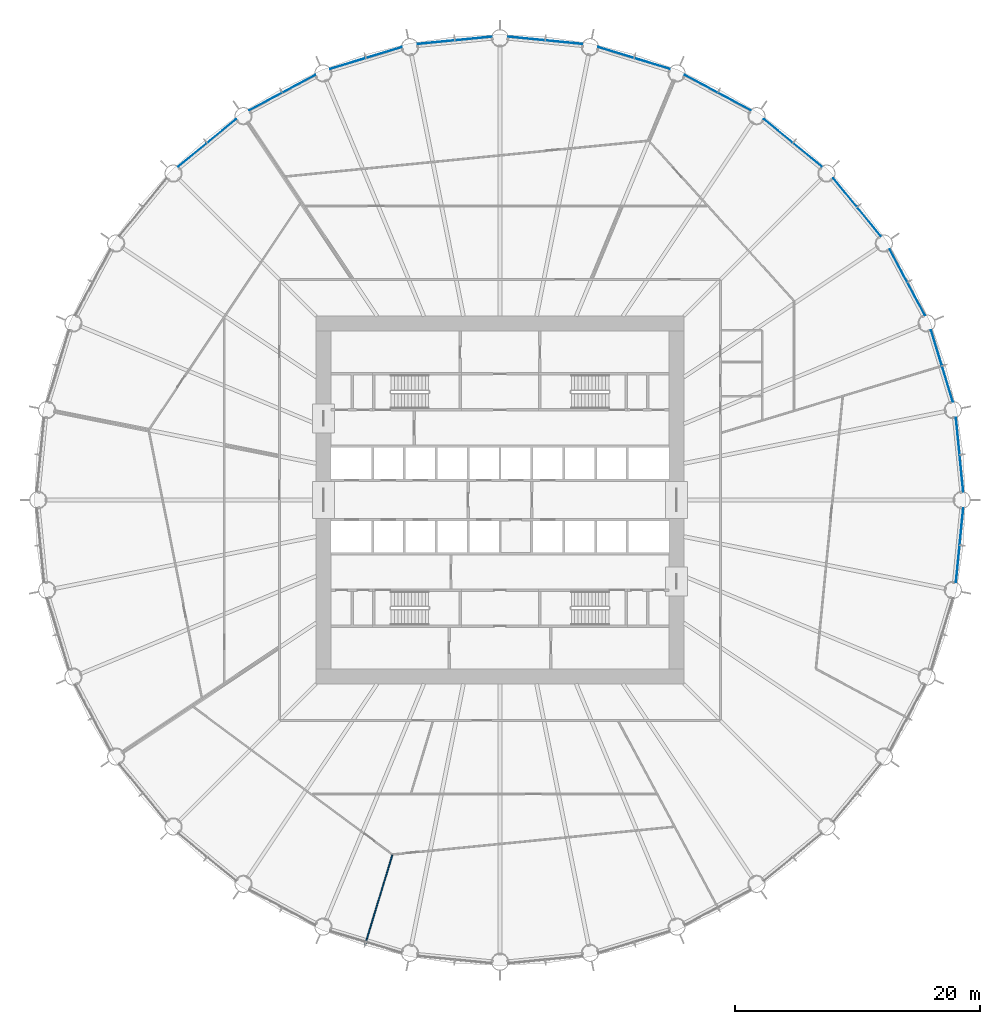
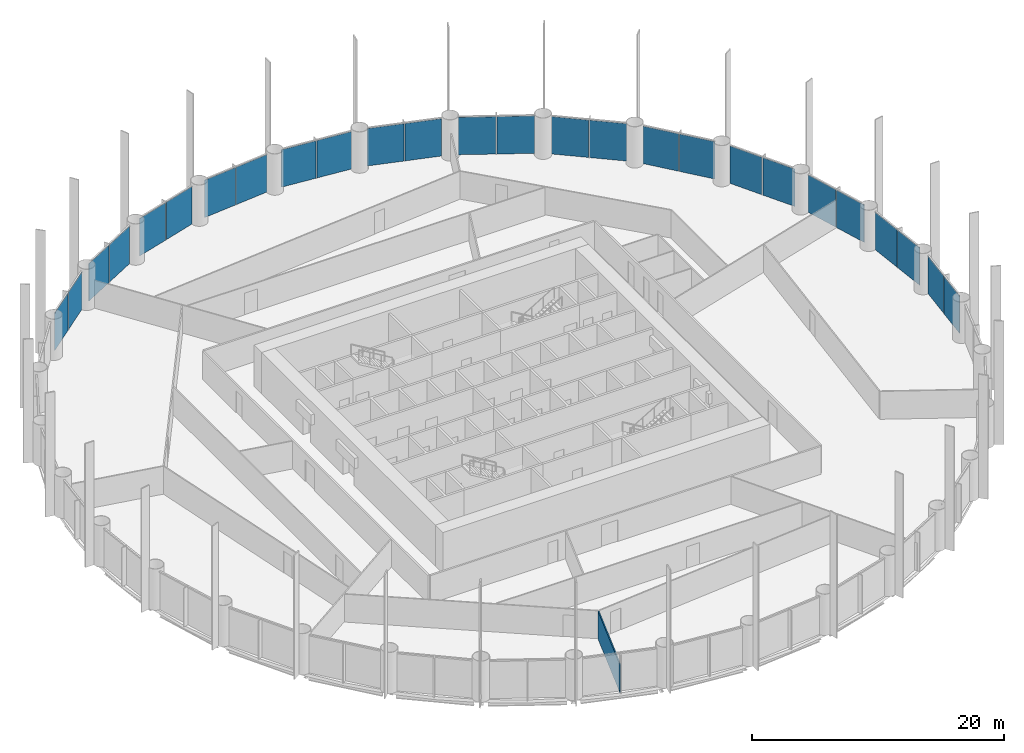
# One storey, part 8 of 14: 26 plates, 1 wall, 13 elements without a shape of their own.
"""IFC4 building model written with IfcOpenShell, lengths in metres."""

from ifc_helpers import new_model, si_unit, direction, frame, frame_2d, origin, origin_2d, place, context, subcontext, project, spatial, rectangle, extrude, material, layer, layer_set, type_object, element, aggregate, save


model = new_model("IFC4")

# Units and contexts
model_context = context("Model", 3, precision=1e-05, world=origin(), true_north=direction((0.0, 1.0)))
body_context = subcontext(model_context, "Body", "Model", "MODEL_VIEW")
ifc_project = project(units=[si_unit("LENGTHUNIT", "METRE"), si_unit("AREAUNIT", "SQUARE_METRE"), si_unit("VOLUMEUNIT", "CUBIC_METRE"), si_unit("PLANEANGLEUNIT", "RADIAN"), si_unit("MASSUNIT", "GRAM", prefix="KILO")], contexts=[model_context])

# Site, building, storey
site_placement = place(None, origin())
site = spatial("IfcSite", under=ifc_project, at=site_placement, CompositionType="ELEMENT")
building_placement = place(site_placement, origin())
building = spatial("IfcBuilding", under=site, at=building_placement, Name="Corvane Civic Tower", CompositionType="ELEMENT")
storey_placement = place(building_placement, frame((0.0, 0.0, 53.0)))
storey = spatial("IfcBuildingStorey", under=building, at=storey_placement, Name="L11", CompositionType="ELEMENT", Elevation=53.0)

# Curtain wall, plates
ifc_material_1 = material(Name="Anodised aluminium bronze", Category="aluminium")
curtain_wall_type = type_object("IfcCurtainWallType", Name="TOWER CW-T1 STICK CURTAIN WALL", PredefinedType="NOTDEFINED", material=ifc_material_1)
curtain_wall_1_placement = place(storey_placement, origin())
curtain_wall_1 = element("IfcCurtainWall", 1, at=curtain_wall_1_placement, inside=storey, type_object=curtain_wall_type, Name="Curtain wall CW-T1 L11 bay 01", PredefinedType="NOTDEFINED")
ifc_material_2 = material(Name="Tinted glass", Category="glass")
ifc_layer_1 = layer(ifc_material_2, 0.035888671875)
ifc_layer_set_1 = layer_set([ifc_layer_1], Name="Tinted glass")
plate_type = type_object("IfcPlateType", Name="TOWER CW-T1 PANEL IGU36", PredefinedType="CURTAIN_PANEL", material=ifc_layer_set_1)
plate_1_placement = place(storey_placement, frame((2.158203125, 37.667236328125, 0.0), z_axis=(0.0, 0.0, 1.0), x_axis=(0.995185800248, -0.098006239521, 0.0)))
plate_1 = element("IfcPlate", 2, at=plate_1_placement, type_object=plate_type, Name="Glass panel CW-T1 L11 01.1", PredefinedType="CURTAIN_PANEL", context=body_context, shape_type="SweptSolid", body=[
    extrude(rectangle(XDim=3.008544921875, YDim=0.035888671875, at=origin_2d()), origin(), (0.0, 0.0, 1.0), 3.6298828125),
])
plate_2_placement = place(storey_placement, frame((5.23193359375, 37.36474609375, 0.0), z_axis=(0.0, 0.0, 1.0), x_axis=(0.995185800248, -0.098006239521, 0.0)))
plate_2 = element("IfcPlate", 3, at=plate_2_placement, type_object=plate_type, Name="Glass panel CW-T1 L11 01.2", PredefinedType="CURTAIN_PANEL", context=body_context, shape_type="SweptSolid", body=[
    extrude(rectangle(XDim=3.008544921875, YDim=0.035888671875, at=origin_2d()), origin(), (0.0, 0.0, 1.0), 3.6298828125),
])
aggregate(curtain_wall_1, [plate_1, plate_2])

curtain_wall_2_placement = place(storey_placement, origin())
curtain_wall_2 = element("IfcCurtainWall", 4, at=curtain_wall_2_placement, inside=storey, type_object=curtain_wall_type, Name="Curtain wall CW-T1 L11 bay 02", PredefinedType="NOTDEFINED")
plate_3_placement = place(storey_placement, frame((9.46533203125, 36.522705078125, 0.0), z_axis=(0.0, 0.0, 1.0), x_axis=(0.956942240606, -0.290278397654, 0.0)))
plate_3 = element("IfcPlate", 5, at=plate_3_placement, type_object=plate_type, Name="Glass panel CW-T1 L11 02.1", PredefinedType="CURTAIN_PANEL", context=body_context, shape_type="SweptSolid", body=[
    extrude(rectangle(XDim=3.008544921875, YDim=0.035888671875, at=origin_2d()), origin(), (0.0, 0.0, 1.0), 3.6298828125),
])
plate_4_placement = place(storey_placement, frame((12.4208984375, 35.6259765625, 0.0), z_axis=(0.0, 0.0, 1.0), x_axis=(0.956942240606, -0.290278397654, 0.0)))
plate_4 = element("IfcPlate", 6, at=plate_4_placement, type_object=plate_type, Name="Glass panel CW-T1 L11 02.2", PredefinedType="CURTAIN_PANEL", context=body_context, shape_type="SweptSolid", body=[
    extrude(rectangle(XDim=3.008544921875, YDim=0.035888671875, at=origin_2d()), origin(), (0.0, 0.0, 1.0), 3.6298828125),
])
aggregate(curtain_wall_2, [plate_3, plate_4])

curtain_wall_3_placement = place(storey_placement, origin())
curtain_wall_3 = element("IfcCurtainWall", 7, at=curtain_wall_3_placement, inside=storey, type_object=curtain_wall_type, Name="Curtain wall CW-T1 L11 bay 03", PredefinedType="NOTDEFINED")
plate_5_placement = place(storey_placement, frame((16.40869140625, 33.974365234375, 0.0), z_axis=(0.0, 0.0, 1.0), x_axis=(0.881917528864, -0.471403725359, 0.0)))
plate_5 = element("IfcPlate", 8, at=plate_5_placement, type_object=plate_type, Name="Glass panel CW-T1 L11 03.1", PredefinedType="CURTAIN_PANEL", context=body_context, shape_type="SweptSolid", body=[
    extrude(rectangle(XDim=3.008544921875, YDim=0.035888671875, at=origin_2d()), origin(), (0.0, 0.0, 1.0), 3.6298828125),
])
plate_6_placement = place(storey_placement, frame((19.132568359375, 32.518310546875, 0.0), z_axis=(0.0, 0.0, 1.0), x_axis=(0.881917528864, -0.471403725359, 0.0)))
plate_6 = element("IfcPlate", 9, at=plate_6_placement, type_object=plate_type, Name="Glass panel CW-T1 L11 03.2", PredefinedType="CURTAIN_PANEL", context=body_context, shape_type="SweptSolid", body=[
    extrude(rectangle(XDim=3.008544921875, YDim=0.035888671875, at=origin_2d()), origin(), (0.0, 0.0, 1.0), 3.6298828125),
])
aggregate(curtain_wall_3, [plate_5, plate_6])

curtain_wall_4_placement = place(storey_placement, origin())
curtain_wall_4 = element("IfcCurtainWall", 10, at=curtain_wall_4_placement, inside=storey, type_object=curtain_wall_type, Name="Curtain wall CW-T1 L11 bay 04", PredefinedType="NOTDEFINED")
plate_7_placement = place(storey_placement, frame((22.721435546875, 30.120361328125, 0.0), z_axis=(0.0, 0.0, 1.0), x_axis=(0.773007224463, -0.634397218569, 0.0)))
plate_7 = element("IfcPlate", 11, at=plate_7_placement, type_object=plate_type, Name="Glass panel CW-T1 L11 04.1", PredefinedType="CURTAIN_PANEL", context=body_context, shape_type="SweptSolid", body=[
    extrude(rectangle(XDim=3.008544921875, YDim=0.035888671875, at=origin_2d()), origin(), (0.0, 0.0, 1.0), 3.6298828125),
])
plate_8_placement = place(storey_placement, frame((25.10888671875, 28.160888671875, 0.0), z_axis=(0.0, 0.0, 1.0), x_axis=(0.773007224463, -0.634397218569, 0.0)))
plate_8 = element("IfcPlate", 12, at=plate_8_placement, type_object=plate_type, Name="Glass panel CW-T1 L11 04.2", PredefinedType="CURTAIN_PANEL", context=body_context, shape_type="SweptSolid", body=[
    extrude(rectangle(XDim=3.008544921875, YDim=0.035888671875, at=origin_2d()), origin(), (0.0, 0.0, 1.0), 3.6298828125),
])
aggregate(curtain_wall_4, [plate_7, plate_8])

curtain_wall_5_placement = place(storey_placement, origin())
curtain_wall_5 = element("IfcCurtainWall", 13, at=curtain_wall_5_placement, inside=storey, type_object=curtain_wall_type, Name="Curtain wall CW-T1 L11 bay 05", PredefinedType="NOTDEFINED")
plate_9_placement = place(storey_placement, frame((28.160888671875, 25.10888671875, 0.0), z_axis=(0.0, 0.0, 1.0), x_axis=(0.634397218569, -0.773007224463, 0.0)))
plate_9 = element("IfcPlate", 14, at=plate_9_placement, type_object=plate_type, Name="Glass panel CW-T1 L11 05.1", PredefinedType="CURTAIN_PANEL", context=body_context, shape_type="SweptSolid", body=[
    extrude(rectangle(XDim=3.008544921875, YDim=0.035888671875, at=origin_2d()), origin(), (0.0, 0.0, 1.0), 3.6298828125),
])
plate_10_placement = place(storey_placement, frame((30.120361328125, 22.721435546875, 0.0), z_axis=(0.0, 0.0, 1.0), x_axis=(0.634397218569, -0.773007224463, 0.0)))
plate_10 = element("IfcPlate", 15, at=plate_10_placement, type_object=plate_type, Name="Glass panel CW-T1 L11 05.2", PredefinedType="CURTAIN_PANEL", context=body_context, shape_type="SweptSolid", body=[
    extrude(rectangle(XDim=3.008544921875, YDim=0.035888671875, at=origin_2d()), origin(), (0.0, 0.0, 1.0), 3.6298828125),
])
aggregate(curtain_wall_5, [plate_9, plate_10])

curtain_wall_6_placement = place(storey_placement, origin())
curtain_wall_6 = element("IfcCurtainWall", 16, at=curtain_wall_6_placement, inside=storey, type_object=curtain_wall_type, Name="Curtain wall CW-T1 L11 bay 06", PredefinedType="NOTDEFINED")
plate_11_placement = place(storey_placement, frame((32.518310546875, 19.132568359375, 0.0), z_axis=(0.0, 0.0, 1.0), x_axis=(0.471403725359, -0.881917528864, 0.0)))
plate_11 = element("IfcPlate", 17, at=plate_11_placement, type_object=plate_type, Name="Glass panel CW-T1 L11 06.1", PredefinedType="CURTAIN_PANEL", context=body_context, shape_type="SweptSolid", body=[
    extrude(rectangle(XDim=3.008544921875, YDim=0.035888671875, at=origin_2d()), origin(), (0.0, 0.0, 1.0), 3.6298828125),
])
plate_12_placement = place(storey_placement, frame((33.974365234375, 16.40869140625, 0.0), z_axis=(0.0, 0.0, 1.0), x_axis=(0.471403725359, -0.881917528864, 0.0)))
plate_12 = element("IfcPlate", 18, at=plate_12_placement, type_object=plate_type, Name="Glass panel CW-T1 L11 06.2", PredefinedType="CURTAIN_PANEL", context=body_context, shape_type="SweptSolid", body=[
    extrude(rectangle(XDim=3.008544921875, YDim=0.035888671875, at=origin_2d()), origin(), (0.0, 0.0, 1.0), 3.6298828125),
])
aggregate(curtain_wall_6, [plate_11, plate_12])

curtain_wall_7_placement = place(storey_placement, origin())
curtain_wall_7 = element("IfcCurtainWall", 19, at=curtain_wall_7_placement, inside=storey, type_object=curtain_wall_type, Name="Curtain wall CW-T1 L11 bay 07", PredefinedType="NOTDEFINED")
plate_13_placement = place(storey_placement, frame((35.6259765625, 12.4208984375, 0.0), z_axis=(0.0, 0.0, 1.0), x_axis=(0.290278397654, -0.956942240606, 0.0)))
plate_13 = element("IfcPlate", 20, at=plate_13_placement, type_object=plate_type, Name="Glass panel CW-T1 L11 07.1", PredefinedType="CURTAIN_PANEL", context=body_context, shape_type="SweptSolid", body=[
    extrude(rectangle(XDim=3.008544921875, YDim=0.035888671875, at=origin_2d()), origin(), (0.0, 0.0, 1.0), 3.6298828125),
])
plate_14_placement = place(storey_placement, frame((36.522705078125, 9.46533203125, 0.0), z_axis=(0.0, 0.0, 1.0), x_axis=(0.290278397654, -0.956942240606, 0.0)))
plate_14 = element("IfcPlate", 21, at=plate_14_placement, type_object=plate_type, Name="Glass panel CW-T1 L11 07.2", PredefinedType="CURTAIN_PANEL", context=body_context, shape_type="SweptSolid", body=[
    extrude(rectangle(XDim=3.008544921875, YDim=0.035888671875, at=origin_2d()), origin(), (0.0, 0.0, 1.0), 3.6298828125),
])
aggregate(curtain_wall_7, [plate_13, plate_14])

curtain_wall_8_placement = place(storey_placement, origin())
curtain_wall_8 = element("IfcCurtainWall", 22, at=curtain_wall_8_placement, inside=storey, type_object=curtain_wall_type, Name="Curtain wall CW-T1 L11 bay 08", PredefinedType="NOTDEFINED")
plate_15_placement = place(storey_placement, frame((37.36474609375, 5.23193359375, 0.0), z_axis=(0.0, 0.0, 1.0), x_axis=(0.098006239521, -0.995185800248, 0.0)))
plate_15 = element("IfcPlate", 23, at=plate_15_placement, type_object=plate_type, Name="Glass panel CW-T1 L11 08.1", PredefinedType="CURTAIN_PANEL", context=body_context, shape_type="SweptSolid", body=[
    extrude(rectangle(XDim=3.008544921875, YDim=0.035888671875, at=origin_2d()), origin(), (0.0, 0.0, 1.0), 3.6298828125),
])
plate_16_placement = place(storey_placement, frame((37.667236328125, 2.158203125, 0.0), z_axis=(0.0, 0.0, 1.0), x_axis=(0.098006239521, -0.995185800248, 0.0)))
plate_16 = element("IfcPlate", 24, at=plate_16_placement, type_object=plate_type, Name="Glass panel CW-T1 L11 08.2", PredefinedType="CURTAIN_PANEL", context=body_context, shape_type="SweptSolid", body=[
    extrude(rectangle(XDim=3.008544921875, YDim=0.035888671875, at=origin_2d()), origin(), (0.0, 0.0, 1.0), 3.6298828125),
])
aggregate(curtain_wall_8, [plate_15, plate_16])

curtain_wall_9_placement = place(storey_placement, origin())
curtain_wall_9 = element("IfcCurtainWall", 25, at=curtain_wall_9_placement, inside=storey, type_object=curtain_wall_type, Name="Curtain wall CW-T1 L11 bay 09", PredefinedType="NOTDEFINED")
plate_17_placement = place(storey_placement, frame((37.667236328125, -2.158203125, 0.0), z_axis=(0.0, 0.0, 1.0), x_axis=(-0.098006239521, -0.995185800248, 0.0)))
plate_17 = element("IfcPlate", 26, at=plate_17_placement, type_object=plate_type, Name="Glass panel CW-T1 L11 09.1", PredefinedType="CURTAIN_PANEL", context=body_context, shape_type="SweptSolid", body=[
    extrude(rectangle(XDim=3.008544921875, YDim=0.035888671875, at=origin_2d()), origin(), (0.0, 0.0, 1.0), 3.6298828125),
])
plate_18_placement = place(storey_placement, frame((37.36474609375, -5.23193359375, 0.0), z_axis=(0.0, 0.0, 1.0), x_axis=(-0.098006239521, -0.995185800248, 0.0)))
plate_18 = element("IfcPlate", 27, at=plate_18_placement, type_object=plate_type, Name="Glass panel CW-T1 L11 09.2", PredefinedType="CURTAIN_PANEL", context=body_context, shape_type="SweptSolid", body=[
    extrude(rectangle(XDim=3.008544921875, YDim=0.035888671875, at=origin_2d()), origin(), (0.0, 0.0, 1.0), 3.6298828125),
])
aggregate(curtain_wall_9, [plate_17, plate_18])

curtain_wall_10_placement = place(storey_placement, origin())
curtain_wall_10 = element("IfcCurtainWall", 28, at=curtain_wall_10_placement, inside=storey, type_object=curtain_wall_type, Name="Curtain wall CW-T1 L11 bay 29", PredefinedType="NOTDEFINED")
plate_19_placement = place(storey_placement, frame((-25.10888671875, 28.160888671875, 0.0), z_axis=(0.0, 0.0, 1.0), x_axis=(0.773007224463, 0.634397218569, 0.0)))
plate_19 = element("IfcPlate", 29, at=plate_19_placement, type_object=plate_type, Name="Glass panel CW-T1 L11 29.1", PredefinedType="CURTAIN_PANEL", context=body_context, shape_type="SweptSolid", body=[
    extrude(rectangle(XDim=3.008544921875, YDim=0.035888671875, at=origin_2d()), origin(), (0.0, 0.0, 1.0), 3.6298828125),
])
plate_20_placement = place(storey_placement, frame((-22.721435546875, 30.120361328125, 0.0), z_axis=(0.0, 0.0, 1.0), x_axis=(0.773007224463, 0.634397218569, 0.0)))
plate_20 = element("IfcPlate", 30, at=plate_20_placement, type_object=plate_type, Name="Glass panel CW-T1 L11 29.2", PredefinedType="CURTAIN_PANEL", context=body_context, shape_type="SweptSolid", body=[
    extrude(rectangle(XDim=3.008544921875, YDim=0.035888671875, at=origin_2d()), origin(), (0.0, 0.0, 1.0), 3.6298828125),
])
aggregate(curtain_wall_10, [plate_19, plate_20])

curtain_wall_11_placement = place(storey_placement, origin())
curtain_wall_11 = element("IfcCurtainWall", 31, at=curtain_wall_11_placement, inside=storey, type_object=curtain_wall_type, Name="Curtain wall CW-T1 L11 bay 30", PredefinedType="NOTDEFINED")
plate_21_placement = place(storey_placement, frame((-19.132568359375, 32.518310546875, 0.0), z_axis=(0.0, 0.0, 1.0), x_axis=(0.881917528864, 0.471403725359, 0.0)))
plate_21 = element("IfcPlate", 32, at=plate_21_placement, type_object=plate_type, Name="Glass panel CW-T1 L11 30.1", PredefinedType="CURTAIN_PANEL", context=body_context, shape_type="SweptSolid", body=[
    extrude(rectangle(XDim=3.008544921875, YDim=0.035888671875, at=origin_2d()), origin(), (0.0, 0.0, 1.0), 3.6298828125),
])
plate_22_placement = place(storey_placement, frame((-16.40869140625, 33.974365234375, 0.0), z_axis=(0.0, 0.0, 1.0), x_axis=(0.881917528864, 0.471403725359, 0.0)))
plate_22 = element("IfcPlate", 33, at=plate_22_placement, type_object=plate_type, Name="Glass panel CW-T1 L11 30.2", PredefinedType="CURTAIN_PANEL", context=body_context, shape_type="SweptSolid", body=[
    extrude(rectangle(XDim=3.008544921875, YDim=0.035888671875, at=origin_2d()), origin(), (0.0, 0.0, 1.0), 3.6298828125),
])
aggregate(curtain_wall_11, [plate_21, plate_22])

curtain_wall_12_placement = place(storey_placement, origin())
curtain_wall_12 = element("IfcCurtainWall", 34, at=curtain_wall_12_placement, inside=storey, type_object=curtain_wall_type, Name="Curtain wall CW-T1 L11 bay 31", PredefinedType="NOTDEFINED")
plate_23_placement = place(storey_placement, frame((-12.4208984375, 35.6259765625, 0.0), z_axis=(0.0, 0.0, 1.0), x_axis=(0.956942240606, 0.290278397654, 0.0)))
plate_23 = element("IfcPlate", 35, at=plate_23_placement, type_object=plate_type, Name="Glass panel CW-T1 L11 31.1", PredefinedType="CURTAIN_PANEL", context=body_context, shape_type="SweptSolid", body=[
    extrude(rectangle(XDim=3.008544921875, YDim=0.035888671875, at=origin_2d()), origin(), (0.0, 0.0, 1.0), 3.6298828125),
])
plate_24_placement = place(storey_placement, frame((-9.46533203125, 36.522705078125, 0.0), z_axis=(0.0, 0.0, 1.0), x_axis=(0.956942240606, 0.290278397654, 0.0)))
plate_24 = element("IfcPlate", 36, at=plate_24_placement, type_object=plate_type, Name="Glass panel CW-T1 L11 31.2", PredefinedType="CURTAIN_PANEL", context=body_context, shape_type="SweptSolid", body=[
    extrude(rectangle(XDim=3.008544921875, YDim=0.035888671875, at=origin_2d()), origin(), (0.0, 0.0, 1.0), 3.6298828125),
])
aggregate(curtain_wall_12, [plate_23, plate_24])

curtain_wall_13_placement = place(storey_placement, origin())
curtain_wall_13 = element("IfcCurtainWall", 37, at=curtain_wall_13_placement, inside=storey, type_object=curtain_wall_type, Name="Curtain wall CW-T1 L11 bay 32", PredefinedType="NOTDEFINED")
plate_25_placement = place(storey_placement, frame((-5.23193359375, 37.36474609375, 0.0), z_axis=(0.0, 0.0, 1.0), x_axis=(0.995185800248, 0.098006239521, 0.0)))
plate_25 = element("IfcPlate", 38, at=plate_25_placement, type_object=plate_type, Name="Glass panel CW-T1 L11 32.1", PredefinedType="CURTAIN_PANEL", context=body_context, shape_type="SweptSolid", body=[
    extrude(rectangle(XDim=3.008544921875, YDim=0.035888671875, at=origin_2d()), origin(), (0.0, 0.0, 1.0), 3.6298828125),
])
plate_26_placement = place(storey_placement, frame((-2.158203125, 37.667236328125, 0.0), z_axis=(0.0, 0.0, 1.0), x_axis=(0.995185800248, 0.098006239521, 0.0)))
plate_26 = element("IfcPlate", 39, at=plate_26_placement, type_object=plate_type, Name="Glass panel CW-T1 L11 32.2", PredefinedType="CURTAIN_PANEL", context=body_context, shape_type="SweptSolid", body=[
    extrude(rectangle(XDim=3.008544921875, YDim=0.035888671875, at=origin_2d()), origin(), (0.0, 0.0, 1.0), 3.6298828125),
])
aggregate(curtain_wall_13, [plate_25, plate_26])

# Wall
ifc_material_3 = material(Name="Plasterboard")
ifc_layer_2 = layer(ifc_material_3, 0.10009765625)
ifc_layer_set_2 = layer_set([ifc_layer_2], Name="Plasterboard")
wall_type = type_object("IfcWallType", Name="Partition 100 plasterboard on studs", PredefinedType="PARTITIONING", material=ifc_layer_set_2)
wall_placement = place(storey_placement, frame((-11.016357421875, -36.316162109375, 0.0), z_axis=(0.0, 0.0, 1.0), x_axis=(0.290265209533, 0.956946240985, 0.0)))
element("IfcWall", 40, at=wall_placement, inside=storey, type_object=wall_type, Name="Partition L11.001", PredefinedType="PARTITIONING", context=body_context, shape_type="SweptSolid", body=[
    extrude(rectangle(XDim=7.674072265625, YDim=0.10009765625, at=frame_2d((3.8369140625, 0.0))), origin(), (0.0, 0.0, 1.0), 2.699951171875),
])

save(model, "model.ifc")
